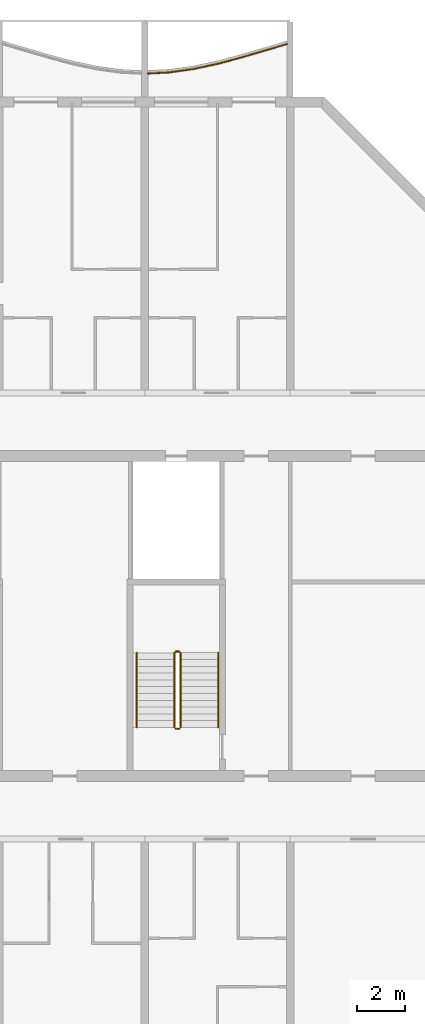
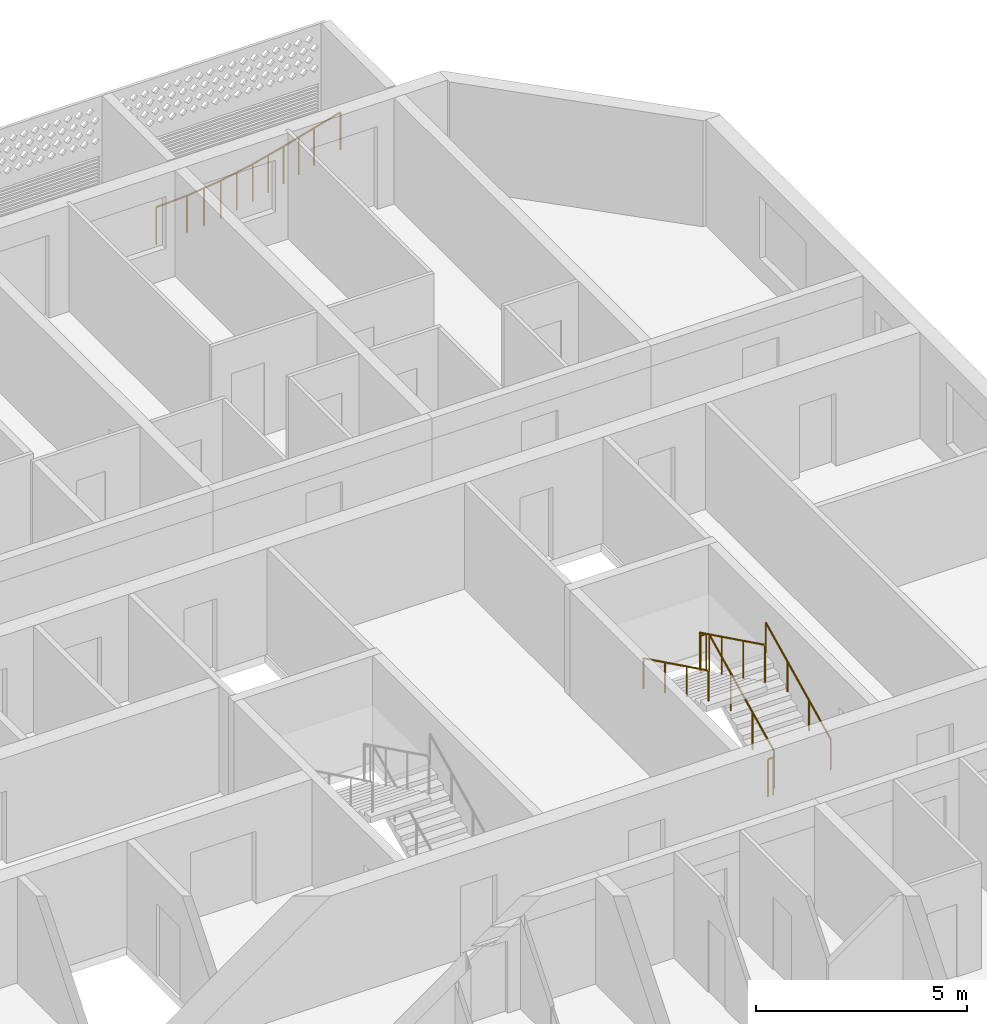
# One storey, part 31 of 32: 7 railings.
"""IFC4 building model written with IfcOpenShell, lengths in metres."""

from ifc_helpers import new_model, si_unit, direction, frame, origin, origin_2d, place, context, subcontext, project, spatial, circle, extrude, material, type_object, element, save


model = new_model("IFC4")

# Units and contexts
model_context = context("Model", 3, precision=1e-05, world=origin(), true_north=direction((0.0, 1.0)))
body_context = subcontext(model_context, "Body", "Model", "MODEL_VIEW")
ifc_project = project(units=[si_unit("LENGTHUNIT", "METRE"), si_unit("AREAUNIT", "SQUARE_METRE"), si_unit("VOLUMEUNIT", "CUBIC_METRE"), si_unit("PLANEANGLEUNIT", "RADIAN"), si_unit("MASSUNIT", "GRAM", prefix="KILO")], contexts=[model_context])

# Site, building, storey
site_placement = place(None, origin())
site = spatial("IfcSite", under=ifc_project, at=site_placement, CompositionType="ELEMENT")
building_placement = place(site_placement, origin())
building = spatial("IfcBuilding", under=site, at=building_placement, Name="Poui Terraces", CompositionType="ELEMENT")
storey_placement = place(building_placement, frame((0.0, 0.0, 152.10009765625)))
storey = spatial("IfcBuildingStorey", under=building, at=storey_placement, Name="L42", CompositionType="ELEMENT", Elevation=152.10009765625)

# Railings
ifc_material_1 = material(Name="Painted steel fretwork", Category="steel")
railing_type_1 = type_object("IfcRailingType", Name="BALCONY GUARD 1100", PredefinedType="GUARDRAIL", material=ifc_material_1)
railing_1_placement = place(storey_placement, frame((78.125, 43.57080078125, 0.0)))
element("IfcRailing", 1, at=railing_1_placement, inside=storey, type_object=railing_type_1, Name="BALCONY GUARD", PredefinedType="GUARDRAIL", context=body_context, shape_type="SweptSolid", body=[
    extrude(circle(Radius=0.02392578125, at=origin_2d()), frame((0.0, 0.0, 1.076171875), z_axis=(0.99856813227, 0.053494721372, 0.0), x_axis=(-0.053494721372, 0.99856813227, 0.0)), (0.0, 0.0, 1.0), 0.876220703125),
    extrude(circle(Radius=0.02392578125, at=origin_2d()), frame((0.875, 0.046875, 1.076171875), z_axis=(0.990620000385, 0.136645581108, 0.0), x_axis=(-0.136645581108, 0.990620000385, 0.0)), (0.0, 0.0, 1.0), 1.009521484375),
    extrude(circle(Radius=0.02392578125, at=origin_2d()), frame((1.875, 0.184814453125, 1.076171875), z_axis=(0.977886186539, 0.20913776841, 0.0), x_axis=(-0.20913776841, 0.977886186539, 0.0)), (0.0, 0.0, 1.0), 1.022705078125),
    extrude(circle(Radius=0.02392578125, at=origin_2d()), frame((2.875, 0.398681640625, 1.076171875), z_axis=(0.965897516379, 0.258924676022, 0.0), x_axis=(-0.258924676022, 0.965897516379, 0.0)), (0.0, 0.0, 1.0), 1.035400390625),
    extrude(circle(Radius=0.02392578125, at=origin_2d()), frame((3.875, 0.666748046875, 1.076171875), z_axis=(0.959219941058, 0.282660758998, 0.0), x_axis=(-0.282660758998, 0.959219941058, 0.0)), (0.0, 0.0, 1.0), 1.04248046875),
    extrude(circle(Radius=0.02392578125, at=origin_2d()), frame((4.875, 0.96142578125, 1.076171875), z_axis=(0.959879926868, 0.280411351404, 0.0), x_axis=(-0.280411351404, 0.959879926868, 0.0)), (0.0, 0.0, 1.0), 0.91162109375),
    extrude(circle(Radius=0.02099609375, at=origin_2d()), origin(), (0.0, 0.0, 1.0), 1.052001953125),
    extrude(circle(Radius=0.02099609375, at=origin_2d()), frame((0.875, 0.046875, 0.0)), (0.0, 0.0, 1.0), 1.052001953125),
    extrude(circle(Radius=0.02099609375, at=origin_2d()), frame((1.375, 0.11572265625, 0.0)), (0.0, 0.0, 1.0), 1.052001953125),
    extrude(circle(Radius=0.02099609375, at=origin_2d()), frame((1.875, 0.184814453125, 0.0)), (0.0, 0.0, 1.0), 1.052001953125),
    extrude(circle(Radius=0.02099609375, at=origin_2d()), frame((2.375, 0.291748046875, 0.0)), (0.0, 0.0, 1.0), 1.052001953125),
    extrude(circle(Radius=0.02099609375, at=origin_2d()), frame((2.875, 0.398681640625, 0.0)), (0.0, 0.0, 1.0), 1.052001953125),
    extrude(circle(Radius=0.02099609375, at=origin_2d()), frame((3.375, 0.53271484375, 0.0)), (0.0, 0.0, 1.0), 1.052001953125),
    extrude(circle(Radius=0.02099609375, at=origin_2d()), frame((3.875, 0.666748046875, 0.0)), (0.0, 0.0, 1.0), 1.052001953125),
    extrude(circle(Radius=0.02099609375, at=origin_2d()), frame((4.375, 0.81396484375, 0.0)), (0.0, 0.0, 1.0), 1.052001953125),
    extrude(circle(Radius=0.02099609375, at=origin_2d()), frame((4.875, 0.96142578125, 0.0)), (0.0, 0.0, 1.0), 1.052001953125),
    extrude(circle(Radius=0.02099609375, at=origin_2d()), frame((5.75, 1.217041015625, 0.0)), (0.0, 0.0, 1.0), 1.052001953125),
])
ifc_material_2 = material(Name="Galvanised steel balustrade", Category="steel")
railing_type_2 = type_object("IfcRailingType", Name="STAIR GUARD 1100", PredefinedType="GUARDRAIL", material=ifc_material_2)
railing_2_placement = place(storey_placement, frame((79.47509765625, 16.60009765625, 0.137451171875)))
element("IfcRailing", 2, at=railing_2_placement, inside=storey, type_object=railing_type_2, Name="L42 ST-E stair guard 1", PredefinedType="GUARDRAIL", context=body_context, shape_type="SweptSolid", body=[
    extrude(circle(Radius=0.02392578125, at=origin_2d()), frame((0.0, 0.0, 1.076171875), z_axis=(0.0, 0.897606190399, 0.440798283751), x_axis=(-1.0, 0.0, 0.0)), (0.0, 0.0, 1.0), 3.43115234375),
    extrude(circle(Radius=0.02099609375, at=origin_2d()), origin(), (0.0, 0.0, 1.0), 1.052001953125),
    extrude(circle(Radius=0.02099609375, at=origin_2d()), frame((0.0, 1.026611328125, 0.504150390625)), (0.0, 0.0, 1.0), 1.052001953125),
    extrude(circle(Radius=0.02099609375, at=origin_2d()), frame((0.0, 2.05322265625, 1.00830078125)), (0.0, 0.0, 1.0), 1.052001953125),
    extrude(circle(Radius=0.02099609375, at=origin_2d()), frame((0.0, 3.079833984375, 1.512451171875)), (0.0, 0.0, 1.0), 1.052001953125),
])
railing_3_placement = place(storey_placement, frame((79.425048828125, 19.72998046875, 1.64990234375)))
element("IfcRailing", 3, at=railing_3_placement, inside=storey, type_object=railing_type_2, Name="L42 ST-E stair guard 2", PredefinedType="GUARDRAIL", context=body_context, shape_type="SweptSolid", body=[
    extrude(circle(Radius=0.02392578125, at=origin_2d()), frame((0.0, 0.0, 1.076171875), z_axis=(-1.0, 0.0, 0.0), x_axis=(0.0, -1.0, 0.0)), (0.0, 0.0, 1.0), 0.150146484375),
    extrude(circle(Radius=0.02099609375, at=origin_2d()), origin(), (0.0, 0.0, 1.0), 1.052001953125),
    extrude(circle(Radius=0.02099609375, at=origin_2d()), frame((-0.150146484375, 0.0, 0.0)), (0.0, 0.0, 1.0), 1.052001953125),
])
railing_4_placement = place(storey_placement, frame((79.22509765625, 19.679931640625, 1.787353515625)))
element("IfcRailing", 4, at=railing_4_placement, inside=storey, type_object=railing_type_2, Name="L42 ST-E stair guard 3", PredefinedType="GUARDRAIL", context=body_context, shape_type="SweptSolid", body=[
    extrude(circle(Radius=0.02392578125, at=origin_2d()), frame((0.0, 0.0, 1.076171875), z_axis=(0.0, -0.897606190399, 0.440798283751), x_axis=(1.0, 0.0, 0.0)), (0.0, 0.0, 1.0), 3.43115234375),
    extrude(circle(Radius=0.02099609375, at=origin_2d()), origin(), (0.0, 0.0, 1.0), 1.052001953125),
    extrude(circle(Radius=0.02099609375, at=origin_2d()), frame((0.0, -1.026611328125, 0.504150390625)), (0.0, 0.0, 1.0), 1.052001953125),
    extrude(circle(Radius=0.02099609375, at=origin_2d()), frame((0.0, -2.05322265625, 1.00830078125)), (0.0, 0.0, 1.0), 1.052001953125),
    extrude(circle(Radius=0.02099609375, at=origin_2d()), frame((0.0, -3.079833984375, 1.512451171875)), (0.0, 0.0, 1.0), 1.052001953125),
])
railing_5_placement = place(storey_placement, frame((79.425048828125, 16.550048828125, 0.0)))
element("IfcRailing", 5, at=railing_5_placement, inside=storey, type_object=railing_type_2, Name="L42 ST-E stair guard 4", PredefinedType="GUARDRAIL", context=body_context, shape_type="SweptSolid", body=[
    extrude(circle(Radius=0.02392578125, at=origin_2d()), frame((0.0, 0.0, 1.076171875), z_axis=(-1.0, 0.0, 0.0), x_axis=(0.0, -1.0, 0.0)), (0.0, 0.0, 1.0), 0.150146484375),
    extrude(circle(Radius=0.02099609375, at=origin_2d()), origin(), (0.0, 0.0, 1.0), 1.052001953125),
    extrude(circle(Radius=0.02099609375, at=origin_2d()), frame((-0.150146484375, 0.0, 0.0)), (0.0, 0.0, 1.0), 1.052001953125),
])
ifc_material_3 = material(Name="Stainless steel handrail", Category="steel")
railing_type_3 = type_object("IfcRailingType", Name="STAIR HANDRAIL 900", PredefinedType="HANDRAIL", material=ifc_material_3)
railing_6_placement = place(storey_placement, frame((81.02490234375, 16.60009765625, 0.137451171875)))
element("IfcRailing", 6, at=railing_6_placement, inside=storey, type_object=railing_type_3, Name="L42 ST-E stair handrail 1", PredefinedType="HANDRAIL", context=body_context, shape_type="SweptSolid", body=[
    extrude(circle(Radius=0.02392578125, at=origin_2d()), frame((0.0, 0.0, 0.8759765625), z_axis=(0.0, 0.897606190399, 0.440798283751), x_axis=(-1.0, 0.0, 0.0)), (0.0, 0.0, 1.0), 3.43115234375),
    extrude(circle(Radius=0.02099609375, at=origin_2d()), origin(), (0.0, 0.0, 1.0), 0.851806640625),
    extrude(circle(Radius=0.02099609375, at=origin_2d()), frame((0.0, 1.026611328125, 0.504150390625)), (0.0, 0.0, 1.0), 0.851806640625),
    extrude(circle(Radius=0.02099609375, at=origin_2d()), frame((0.0, 2.05322265625, 1.00830078125)), (0.0, 0.0, 1.0), 0.851806640625),
    extrude(circle(Radius=0.02099609375, at=origin_2d()), frame((0.0, 3.079833984375, 1.512451171875)), (0.0, 0.0, 1.0), 0.851806640625),
])
railing_7_placement = place(storey_placement, frame((77.675048828125, 19.679931640625, 1.787353515625)))
element("IfcRailing", 7, at=railing_7_placement, inside=storey, type_object=railing_type_3, Name="L42 ST-E stair handrail 2", PredefinedType="HANDRAIL", context=body_context, shape_type="SweptSolid", body=[
    extrude(circle(Radius=0.02392578125, at=origin_2d()), frame((0.0, 0.0, 0.8759765625), z_axis=(0.0, -0.897606190399, 0.440798283751), x_axis=(1.0, 0.0, 0.0)), (0.0, 0.0, 1.0), 3.43115234375),
    extrude(circle(Radius=0.02099609375, at=origin_2d()), origin(), (0.0, 0.0, 1.0), 0.851806640625),
    extrude(circle(Radius=0.02099609375, at=origin_2d()), frame((0.0, -1.026611328125, 0.504150390625)), (0.0, 0.0, 1.0), 0.851806640625),
    extrude(circle(Radius=0.02099609375, at=origin_2d()), frame((0.0, -2.05322265625, 1.00830078125)), (0.0, 0.0, 1.0), 0.851806640625),
    extrude(circle(Radius=0.02099609375, at=origin_2d()), frame((0.0, -3.079833984375, 1.512451171875)), (0.0, 0.0, 1.0), 0.851806640625),
])

save(model, "model.ifc")
